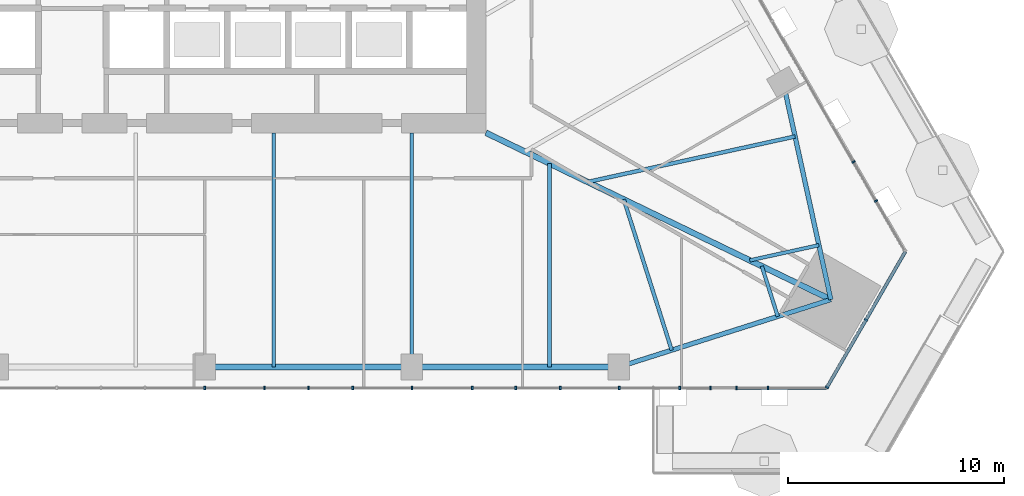
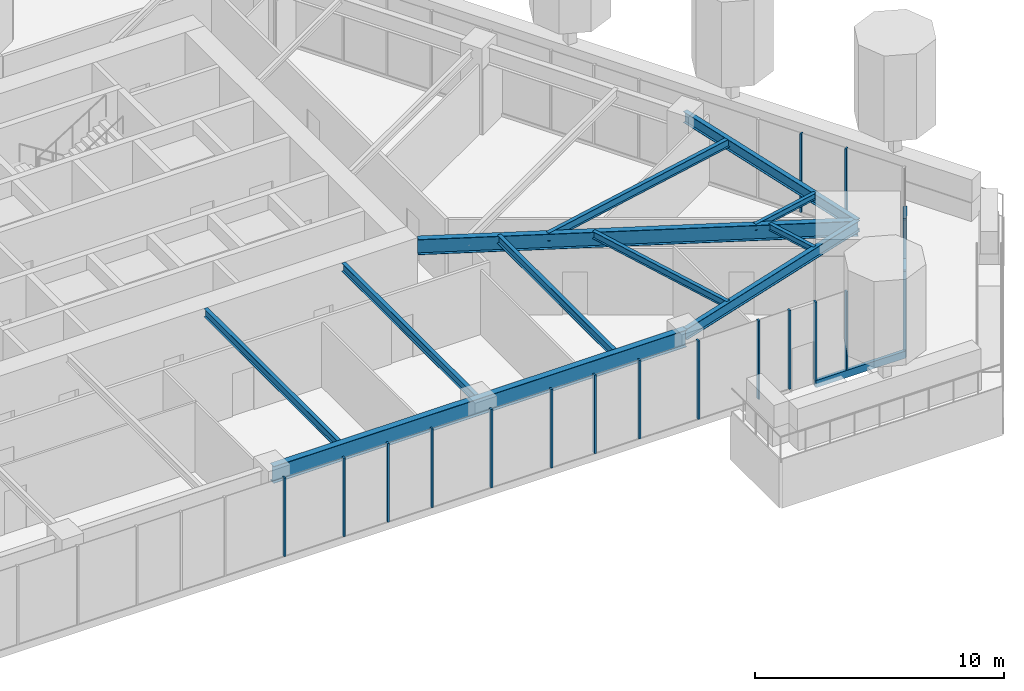
# One storey, part 5 of 26: 21 members, 11 beams, 3 elements without a shape of their own.
"""IFC4 building model written with IfcOpenShell, lengths in metres."""

import ifcopenshell
import ifcopenshell.guid

model = None  # the IFC model being written
_history = None  # IfcOwnerHistory: only IFC2X3 demands one
_inside = {}  # id of a spatial element -> (the spatial element, [elements in it])
_under = {}  # id of a project, library or spatial element -> (it, [spatial elements below it])
_declared = {}  # id of a project -> (the project, [libraries it declares])
_typed = {}  # id of a type object -> (the type object, [elements of that type])
_made_of = {}  # id of a material, layer set ... -> (it, [elements and type objects made of it])


def new_model(schema):
    """Start an empty IFC model of exactly this schema.

    Asked for "IFC4X3", IfcOpenShell would pick the latest addendum, in which some entities
    have other attributes; the version numbers below select the first issue.
    IFC2X3 requires an IfcOwnerHistory on every rooted entity: one is made here for all.
    """
    global model, _history
    if schema == "IFC4X3":
        model = ifcopenshell.file(schema_version=(4, 3, 0, 0))
    else:
        model = ifcopenshell.file(schema=schema)
    _inside.clear()
    _under.clear()
    _declared.clear()
    _typed.clear()
    _made_of.clear()
    _history = None
    if model.schema == "IFC2X3":
        org = make("IfcOrganization", Name="unknown")
        user = make(
            "IfcPersonAndOrganization",
            ThePerson=make("IfcPerson", FamilyName="unknown"),
            TheOrganization=org,
        )
        app = make(
            "IfcApplication",
            ApplicationDeveloper=org,
            Version="unknown",
            ApplicationFullName="unknown",
            ApplicationIdentifier="unknown",
        )
        _history = make(
            "IfcOwnerHistory",
            OwningUser=user,
            OwningApplication=app,
            ChangeAction="ADDED",
            CreationDate=0,
        )
    return model


def make(cls, **values):
    """One entity of the class cls with the attributes given. An attribute that is None is left unset."""
    return model.create_entity(
        cls, **{name: value for name, value in values.items() if value is not None}
    )


def rooted(cls, **values):
    """An entity with a GlobalId (a new one), such as an element, a storey or a relation."""
    return make(cls, GlobalId=ifcopenshell.guid.new(), OwnerHistory=_history, **values)


def si_unit(unit_type, name, prefix=None):
    """IfcSIUnit, for example si_unit("LENGTHUNIT", "METRE", prefix="MILLI")."""
    return make("IfcSIUnit", UnitType=unit_type, Prefix=prefix, Name=name)


def assignment(units):
    """IfcUnitAssignment: the units of a project."""
    return None if units is None else make("IfcUnitAssignment", Units=units)


def point(xyz):
    """IfcCartesianPoint."""
    return None if xyz is None else make("IfcCartesianPoint", Coordinates=xyz)


def direction(xyz):
    """IfcDirection."""
    return None if xyz is None else make("IfcDirection", DirectionRatios=xyz)


def frame(location, z_axis=None, x_axis=None):
    """IfcAxis2Placement3D, a coordinate frame: its origin and axes. An axis left out is left unset."""
    return make(
        "IfcAxis2Placement3D",
        Location=point(location),
        Axis=direction(z_axis),
        RefDirection=direction(x_axis),
    )


def frame_2d(location, x_axis=None):
    """IfcAxis2Placement2D, a coordinate frame in the plane: its origin and x axis."""
    return make(
        "IfcAxis2Placement2D", Location=point(location), RefDirection=direction(x_axis)
    )


def origin():
    """The frame at (0, 0, 0) with its axes left unset."""
    return frame((0.0, 0.0, 0.0))


def origin_2d():
    """The frame at (0, 0) in the plane with its x axis left unset."""
    return frame_2d((0.0, 0.0))


def place(relative_to, where):
    """IfcLocalPlacement: puts the frame where relative to a parent placement (None: the world)."""
    return make(
        "IfcLocalPlacement", PlacementRelTo=relative_to, RelativePlacement=where
    )


def context(
    kind, dimensions, precision=None, world=None, true_north=None, identifier=None
):
    """IfcGeometricRepresentationContext, for example the 3D "Model" context."""
    return make(
        "IfcGeometricRepresentationContext",
        ContextIdentifier=identifier,
        ContextType=kind,
        CoordinateSpaceDimension=dimensions,
        Precision=precision,
        WorldCoordinateSystem=world,
        TrueNorth=true_north,
    )


def subcontext(parent, identifier, kind, view, scale=None):
    """IfcGeometricRepresentationSubContext, for example "Body" below "Model"."""
    return make(
        "IfcGeometricRepresentationSubContext",
        ContextIdentifier=identifier,
        ContextType=kind,
        ParentContext=parent,
        TargetScale=scale,
        TargetView=view,
    )


def project(units=None, contexts=None):
    """IfcProject with its units and contexts."""
    return rooted(
        "IfcProject",
        Name="project",
        RepresentationContexts=contexts,
        UnitsInContext=assignment(units),
    )


def spatial(cls, under=None, at=None, **own):
    """A site, building, storey or space (cls), placed at a placement, below another one or the project."""
    s = rooted(cls, ObjectPlacement=at, **own)
    if under is not None:
        _under.setdefault(under.id(), (under, []))[1].append(s)
    return s


def profile(cls, at=None, kind="AREA", **sizes):
    """A parametric profile (cls). Its sizes go by their IFC names, for example OverallWidth=200.0."""
    return make(cls, ProfileType=kind, Position=at, **sizes)


def rectangle(**sizes):
    """IfcRectangleProfileDef."""
    return profile("IfcRectangleProfileDef", **sizes)


def i_section(**sizes):
    """IfcIShapeProfileDef."""
    return profile("IfcIShapeProfileDef", **sizes)


def extrude(swept, where, along, depth):
    """IfcExtrudedAreaSolid: the profile swept, set in the frame where, extruded along a direction by depth."""
    return make(
        "IfcExtrudedAreaSolid",
        SweptArea=swept,
        Position=where,
        ExtrudedDirection=direction(along),
        Depth=depth,
    )


def shape(context_of_items, identifier, shape_type, items):
    """IfcShapeRepresentation: the items that make up one representation, for example the "Body"."""
    return make(
        "IfcShapeRepresentation",
        ContextOfItems=context_of_items,
        RepresentationIdentifier=identifier,
        RepresentationType=shape_type,
        Items=items,
    )


def material(Name=None, Category=None):
    """IfcMaterial."""
    return make("IfcMaterial", Name=Name, Category=Category)


def layer(
    of_material, thickness, ventilated=None, Name=None, Category=None, Priority=None
):
    """IfcMaterialLayer: one layer of a wall or slab, of a material (None: an air gap)."""
    return make(
        "IfcMaterialLayer",
        Material=of_material,
        LayerThickness=thickness,
        IsVentilated=ventilated,
        Name=Name,
        Category=Category,
        Priority=Priority,
    )


def layer_set(layers, Name=None):
    """IfcMaterialLayerSet."""
    return make("IfcMaterialLayerSet", MaterialLayers=layers, LayerSetName=Name)


def material_profile(
    of_material, cross_section, Name=None, Category=None, Priority=None
):
    """IfcMaterialProfile: a cross section and its material."""
    return make(
        "IfcMaterialProfile",
        Name=Name,
        Material=of_material,
        Profile=cross_section,
        Priority=Priority,
        Category=Category,
    )


def profile_set(profiles, Name=None, composite=None):
    """IfcMaterialProfileSet."""
    return make(
        "IfcMaterialProfileSet",
        Name=Name,
        MaterialProfiles=profiles,
        CompositeProfile=composite,
    )


def made_of(thing, what):
    """Note that an element or type object is made of a material, layer set ...; save() writes the relation."""
    if what is not None:
        _made_of.setdefault(what.id(), (what, []))[1].append(thing)
    return thing


def type_object(cls, material=None, **own):
    """A type object (cls), such as IfcWallType, which elements share."""
    return made_of(rooted(cls, **own), material)


def element(
    cls,
    number,
    at=None,
    inside=None,
    cuts=None,
    type_object=None,
    material=None,
    context=None,
    identifier="Body",
    shape_type=None,
    held_by="IfcProductDefinitionShape",
    body=None,
    shapes=None,
    **own,
):
    """One element of the class cls, such as IfcWall. Its Tag is "e" and its number.

    at: its placement. inside: the storey or other place that contains it. cuts: it is an
    opening in that element (IfcRelVoidsElement). A single representation is given by context,
    identifier, shape_type and body (its items); several are given by shapes. held_by: the class
    of the entity that holds the representations. save() writes the other relations.
    """
    e = rooted(cls, Tag="e%d" % number, ObjectPlacement=at, **own)
    if body is not None:
        shapes = [shape(context, identifier, shape_type, body)]
    if shapes is not None:
        e.Representation = make(held_by, Representations=shapes)
    if inside is not None:
        _inside.setdefault(inside.id(), (inside, []))[1].append(e)
    if cuts is not None:
        rooted(
            "IfcRelVoidsElement", RelatingBuildingElement=cuts, RelatedOpeningElement=e
        )
    if type_object is not None:
        _typed.setdefault(type_object.id(), (type_object, []))[1].append(e)
    return made_of(e, material)


def aggregate(whole, parts):
    """IfcRelAggregates: a whole, such as a stair, and the parts it consists of."""
    return rooted("IfcRelAggregates", RelatingObject=whole, RelatedObjects=parts)


def save(model, path):
    """Write the relations noted so far, then the file.

    IfcRelAggregates (storeys below a building ...), IfcRelContainedInSpatialStructure (elements
    in a storey), IfcRelDefinesByType, IfcRelAssociatesMaterial and IfcRelDeclares: one each for
    every whole, place, type object, material and project.
    """
    for whole, parts in _under.values():
        aggregate(whole, parts)
    for where, things in _inside.values():
        rooted(
            "IfcRelContainedInSpatialStructure",
            RelatedElements=things,
            RelatingStructure=where,
        )
    for kind, things in _typed.values():
        rooted("IfcRelDefinesByType", RelatedObjects=things, RelatingType=kind)
    for what, things in _made_of.values():
        rooted("IfcRelAssociatesMaterial", RelatedObjects=things, RelatingMaterial=what)
    for by, libraries in _declared.values():
        rooted("IfcRelDeclares", RelatingContext=by, RelatedDefinitions=libraries)
    model.write(path)


model = new_model("IFC4")

# Units and contexts
model_context = context("Model", 3, precision=1e-05, world=origin(), true_north=direction((0.0, 1.0)))
body_context = subcontext(model_context, "Body", "Model", "MODEL_VIEW")
ifc_project = project(units=[si_unit("LENGTHUNIT", "METRE"), si_unit("AREAUNIT", "SQUARE_METRE"), si_unit("VOLUMEUNIT", "CUBIC_METRE"), si_unit("PLANEANGLEUNIT", "RADIAN"), si_unit("MASSUNIT", "GRAM", prefix="KILO")], contexts=[model_context])

# Site, building, storey
site_placement = place(None, origin())
site = spatial("IfcSite", under=ifc_project, at=site_placement, CompositionType="ELEMENT")
building_placement = place(site_placement, origin())
building = spatial("IfcBuilding", under=site, at=building_placement, Name="Firuza Gate Tower and Library", CompositionType="ELEMENT")
storey_placement = place(building_placement, frame((0.0, 0.0, 52.60009765625)))
storey = spatial("IfcBuildingStorey", under=building, at=storey_placement, Name="L11", CompositionType="ELEMENT", Elevation=52.60009765625)

# Curtain wall, members
ifc_material_1 = material(Name="Aluminium 6063-T6", Category="aluminium")
ifc_layer_1 = layer(ifc_material_1, 0.14990234375)
ifc_layer_set_1 = layer_set([ifc_layer_1], Name="Unitised curtain wall, offices")
curtain_wall_type_1 = type_object("IfcCurtainWallType", Name="Unitised curtain wall, offices", PredefinedType="NOTDEFINED", material=ifc_layer_set_1)
placement = place(storey_placement, origin())
curtain_wall_1 = element("IfcCurtainWall", 1, at=placement, inside=storey, type_object=curtain_wall_type_1, Name="CW1 L11 S face", PredefinedType="NOTDEFINED")
ifc_material_2 = material(Name="Aluminium 6063-T6", Category="aluminium")
ifc_material_profile_1 = material_profile(ifc_material_2, rectangle(XDim=0.14990234375, YDim=0.080078125, at=origin_2d()))
ifc_profile_set_1 = profile_set([ifc_material_profile_1], Name="Aluminium 6063-T6")
member_type_1 = type_object("IfcMemberType", Name="Curtain wall mullion 80x150", PredefinedType="MULLION", material=ifc_profile_set_1)
member_1_placement = place(storey_placement, frame((75.0, 54.197265625, 0.14990234375), z_axis=(0.0, 0.0, 1.0), x_axis=(0.0, 1.0, 0.0)))
member_1 = element("IfcMember", 2, at=member_1_placement, type_object=member_type_1, Name="Mullion", PredefinedType="MULLION", context=body_context, shape_type="SweptSolid", body=[
    extrude(rectangle(XDim=0.14990234375, YDim=0.080078125, at=origin_2d()), origin(), (0.0, 0.0, 1.0), 3.85009765625),
])
member_2_placement = place(storey_placement, frame((79.790771484375, 54.197265625, 0.14990234375), z_axis=(0.0, 0.0, 1.0), x_axis=(0.0, 1.0, 0.0)))
member_2 = element("IfcMember", 3, at=member_2_placement, type_object=member_type_1, Name="Mullion", PredefinedType="MULLION", context=body_context, shape_type="SweptSolid", body=[
    extrude(rectangle(XDim=0.14990234375, YDim=0.080078125, at=origin_2d()), origin(), (0.0, 0.0, 1.0), 3.85009765625),
])
member_3_placement = place(storey_placement, frame((84.58154296875, 54.197265625, 0.14990234375), z_axis=(0.0, 0.0, 1.0), x_axis=(0.0, 1.0, 0.0)))
member_3 = element("IfcMember", 4, at=member_3_placement, type_object=member_type_1, Name="Mullion", PredefinedType="MULLION", context=body_context, shape_type="SweptSolid", body=[
    extrude(rectangle(XDim=0.14990234375, YDim=0.080078125, at=origin_2d()), origin(), (0.0, 0.0, 1.0), 3.85009765625),
])
member_4_placement = place(storey_placement, frame((89.37255859375, 54.197265625, 0.14990234375), z_axis=(0.0, 0.0, 1.0), x_axis=(0.0, 1.0, 0.0)))
member_4 = element("IfcMember", 5, at=member_4_placement, type_object=member_type_1, Name="Mullion", PredefinedType="MULLION", context=body_context, shape_type="SweptSolid", body=[
    extrude(rectangle(XDim=0.14990234375, YDim=0.080078125, at=origin_2d()), origin(), (0.0, 0.0, 1.0), 3.85009765625),
])
member_5_placement = place(storey_placement, frame((94.163330078125, 54.197265625, 0.14990234375), z_axis=(0.0, 0.0, 1.0), x_axis=(0.0, 1.0, 0.0)))
member_5 = element("IfcMember", 6, at=member_5_placement, type_object=member_type_1, Name="Mullion", PredefinedType="MULLION", context=body_context, shape_type="SweptSolid", body=[
    extrude(rectangle(XDim=0.14990234375, YDim=0.080078125, at=origin_2d()), origin(), (0.0, 0.0, 1.0), 3.85009765625),
])
member_6_placement = place(storey_placement, frame((98.38330078125, 54.197265625, 0.14990234375), z_axis=(0.0, 0.0, 1.0), x_axis=(0.0, 1.0, 0.0)))
member_6 = element("IfcMember", 7, at=member_6_placement, type_object=member_type_1, Name="Mullion", PredefinedType="MULLION", context=body_context, shape_type="SweptSolid", body=[
    extrude(rectangle(XDim=0.14990234375, YDim=0.080078125, at=origin_2d()), origin(), (0.0, 0.0, 1.0), 3.85009765625),
])
member_7_placement = place(storey_placement, frame((99.583251953125, 54.197265625, 0.14990234375), z_axis=(0.0, 0.0, 1.0), x_axis=(0.0, 1.0, 0.0)))
member_7 = element("IfcMember", 8, at=member_7_placement, type_object=member_type_1, Name="Mullion", PredefinedType="MULLION", context=body_context, shape_type="SweptSolid", body=[
    extrude(rectangle(XDim=0.14990234375, YDim=0.080078125, at=origin_2d()), origin(), (0.0, 0.0, 1.0), 3.85009765625),
])
member_8_placement = place(storey_placement, frame((77.762451171875, 54.197265625, 0.14990234375), z_axis=(0.0, 0.0, 1.0), x_axis=(0.0, 1.0, 0.0)))
member_8 = element("IfcMember", 9, at=member_8_placement, type_object=member_type_1, Name="Mullion", PredefinedType="MULLION", context=body_context, shape_type="SweptSolid", body=[
    extrude(rectangle(XDim=0.14990234375, YDim=0.080078125, at=origin_2d()), origin(), (0.0, 0.0, 1.0), 3.85009765625),
])
member_9_placement = place(storey_placement, frame((81.837646484375, 54.197265625, 0.14990234375), z_axis=(0.0, 0.0, 1.0), x_axis=(0.0, 1.0, 0.0)))
member_9 = element("IfcMember", 10, at=member_9_placement, type_object=member_type_1, Name="Mullion", PredefinedType="MULLION", context=body_context, shape_type="SweptSolid", body=[
    extrude(rectangle(XDim=0.14990234375, YDim=0.080078125, at=origin_2d()), origin(), (0.0, 0.0, 1.0), 3.85009765625),
])
member_10_placement = place(storey_placement, frame((87.3623046875, 54.197265625, 0.14990234375), z_axis=(0.0, 0.0, 1.0), x_axis=(0.0, 1.0, 0.0)))
member_10 = element("IfcMember", 11, at=member_10_placement, type_object=member_type_1, Name="Mullion", PredefinedType="MULLION", context=body_context, shape_type="SweptSolid", body=[
    extrude(rectangle(XDim=0.14990234375, YDim=0.080078125, at=origin_2d()), origin(), (0.0, 0.0, 1.0), 3.85009765625),
])
member_11_placement = place(storey_placement, frame((91.4375, 54.197265625, 0.14990234375), z_axis=(0.0, 0.0, 1.0), x_axis=(0.0, 1.0, 0.0)))
member_11 = element("IfcMember", 12, at=member_11_placement, type_object=member_type_1, Name="Mullion", PredefinedType="MULLION", context=body_context, shape_type="SweptSolid", body=[
    extrude(rectangle(XDim=0.14990234375, YDim=0.080078125, at=origin_2d()), origin(), (0.0, 0.0, 1.0), 3.85009765625),
])
member_12_placement = place(storey_placement, frame((96.96240234375, 54.197265625, 0.14990234375), z_axis=(0.0, 0.0, 1.0), x_axis=(0.0, 1.0, 0.0)))
member_12 = element("IfcMember", 13, at=member_12_placement, type_object=member_type_1, Name="Mullion", PredefinedType="MULLION", context=body_context, shape_type="SweptSolid", body=[
    extrude(rectangle(XDim=0.14990234375, YDim=0.080078125, at=origin_2d()), origin(), (0.0, 0.0, 1.0), 3.85009765625),
])
member_13_placement = place(storey_placement, frame((101.03759765625, 54.197265625, 0.14990234375), z_axis=(0.0, 0.0, 1.0), x_axis=(0.0, 1.0, 0.0)))
member_13 = element("IfcMember", 14, at=member_13_placement, type_object=member_type_1, Name="Mullion", PredefinedType="MULLION", context=body_context, shape_type="SweptSolid", body=[
    extrude(rectangle(XDim=0.14990234375, YDim=0.080078125, at=origin_2d()), origin(), (0.0, 0.0, 1.0), 3.85009765625),
])

ifc_material_3 = material(Name="Aluminium 6063-T6", Category="aluminium")
ifc_layer_2 = layer(ifc_material_3, 0.14990234375)
ifc_layer_set_2 = layer_set([ifc_layer_2], Name="Corner curtain wall, chamfers")
curtain_wall_type_2 = type_object("IfcCurtainWallType", Name="Corner curtain wall, chamfers", PredefinedType="NOTDEFINED", material=ifc_layer_set_2)
curtain_wall_2 = element("IfcCurtainWall", 15, at=placement, inside=storey, type_object=curtain_wall_type_2, Name="CW4 L11 SE corner", PredefinedType="NOTDEFINED")
member_14_placement = place(storey_placement, frame((103.764892578125, 54.231689453125, 0.14990234375), z_axis=(0.0, 0.0, 1.0), x_axis=(-0.866025403784, 0.5, 0.0)))
member_14 = element("IfcMember", 16, at=member_14_placement, type_object=member_type_1, Name="Mullion", PredefinedType="MULLION", context=body_context, shape_type="SweptSolid", body=[
    extrude(rectangle(XDim=0.14990234375, YDim=0.080078125, at=origin_2d()), origin(), (0.0, 0.0, 1.0), 3.85009765625),
])
member_15_placement = place(storey_placement, frame((105.566650390625, 57.352294921875, 0.14990234375), z_axis=(0.0, 0.0, 1.0), x_axis=(-0.866025403784, 0.5, 0.0)))
member_15 = element("IfcMember", 17, at=member_15_placement, type_object=member_type_1, Name="Mullion", PredefinedType="MULLION", context=body_context, shape_type="SweptSolid", body=[
    extrude(rectangle(XDim=0.14990234375, YDim=0.080078125, at=origin_2d()), origin(), (0.0, 0.0, 1.0), 3.85009765625),
])

curtain_wall_3 = element("IfcCurtainWall", 18, at=placement, inside=storey, type_object=curtain_wall_type_1, Name="CW1 L11 E face", PredefinedType="NOTDEFINED")
member_16_placement = place(storey_placement, frame((104.992919921875, 64.656494140625, 0.14990234375), z_axis=(0.0, 0.0, 1.0), x_axis=(-0.866025403784, -0.5, 0.0)))
member_16 = element("IfcMember", 19, at=member_16_placement, type_object=member_type_1, Name="Mullion", PredefinedType="MULLION", context=body_context, shape_type="SweptSolid", body=[
    extrude(rectangle(XDim=0.14990234375, YDim=0.080078125, at=origin_2d()), origin(), (0.0, 0.0, 1.0), 3.85009765625),
])
member_17_placement = place(storey_placement, frame((106.03466796875, 62.852294921875, 0.14990234375), z_axis=(0.0, 0.0, 1.0), x_axis=(-0.866025403784, -0.5, 0.0)))
member_17 = element("IfcMember", 20, at=member_17_placement, type_object=member_type_1, Name="Mullion", PredefinedType="MULLION", context=body_context, shape_type="SweptSolid", body=[
    extrude(rectangle(XDim=0.14990234375, YDim=0.080078125, at=origin_2d()), origin(), (0.0, 0.0, 1.0), 3.85009765625),
])
aggregate(curtain_wall_3, [member_16, member_17])

# Member
ifc_material_4 = material(Name="Aluminium 6063-T6", Category="aluminium")
ifc_material_profile_2 = material_profile(ifc_material_4, rectangle(XDim=0.14990234375, YDim=0.35009765625, at=origin_2d()))
ifc_profile_set_2 = profile_set([ifc_material_profile_2], Name="Aluminium 6063-T6")
member_type_2 = type_object("IfcMemberType", Name="Curtain wall transom 350x150", PredefinedType="USERDEFINED", material=ifc_profile_set_2)
member_18_placement = place(storey_placement, frame((99.583251953125, 54.197265625, -0.025146484375), z_axis=(1.0, 0.0, 0.0), x_axis=(0.0, 1.0, 0.0)))
member_18 = element("IfcMember", 21, at=member_18_placement, type_object=member_type_2, Name="Transom", ObjectType="TRANSOM", PredefinedType="USERDEFINED", context=body_context, shape_type="SweptSolid", body=[
    extrude(rectangle(XDim=0.14990234375, YDim=0.35009765625, at=origin_2d()), origin(), (0.0, 0.0, 1.0), 4.16162109375),
])

aggregate(curtain_wall_1, [member_1, member_2, member_3, member_4, member_5, member_6, member_7, member_18, member_8, member_9, member_10, member_11, member_12, member_13])

member_19_placement = place(storey_placement, frame((103.744873046875, 54.197265625, -0.025146484375), z_axis=(0.500005719219, 0.866022101766, 0.0), x_axis=(-0.866022101766, 0.500005719219, 0.0)))
member_19 = element("IfcMember", 22, at=member_19_placement, type_object=member_type_2, Name="Transom", ObjectType="TRANSOM", PredefinedType="USERDEFINED", context=body_context, shape_type="SweptSolid", body=[
    extrude(rectangle(XDim=0.14990234375, YDim=0.35009765625, at=origin_2d()), origin(), (0.0, 0.0, 1.0), 7.28662109375),
])

ifc_material_5 = material(Name="Aluminium 6063-T6", Category="aluminium")
ifc_material_profile_3 = material_profile(ifc_material_5, rectangle(XDim=0.14990234375, YDim=0.080078125, at=origin_2d()))
ifc_profile_set_3 = profile_set([ifc_material_profile_3], Name="Aluminium 6063-T6")
member_type_3 = type_object("IfcMemberType", Name="Curtain wall transom 80x150", PredefinedType="USERDEFINED", material=ifc_profile_set_3)
member_20_placement = place(storey_placement, frame((103.764892578125, 54.231689453125, 2.074951171875), z_axis=(0.500015035186, 0.866016723041, 0.0), x_axis=(-0.866016723041, 0.500015035186, 0.0)))
member_20 = element("IfcMember", 23, at=member_20_placement, type_object=member_type_3, Name="Transom", ObjectType="TRANSOM", PredefinedType="USERDEFINED", context=body_context, shape_type="SweptSolid", body=[
    extrude(rectangle(XDim=0.14990234375, YDim=0.080078125, at=origin_2d()), origin(), (0.0, 0.0, 1.0), 3.5634765625),
])

member_21_placement = place(storey_placement, frame((105.586669921875, 57.386962890625, 2.074951171875), z_axis=(0.500015035186, 0.866016723041, 0.0), x_axis=(-0.866016723041, 0.500015035186, 0.0)))
member_21 = element("IfcMember", 24, at=member_21_placement, type_object=member_type_3, Name="Transom", ObjectType="TRANSOM", PredefinedType="USERDEFINED", context=body_context, shape_type="SweptSolid", body=[
    extrude(rectangle(XDim=0.14990234375, YDim=0.080078125, at=origin_2d()), origin(), (0.0, 0.0, 1.0), 3.5634765625),
])

aggregate(curtain_wall_2, [member_14, member_15, member_19, member_20, member_21])

# Beams
ifc_material_6 = material(Name="Steel S355", Category="steel")
ifc_material_profile_4 = material_profile(ifc_material_6, i_section(OverallWidth=0.1650390625, OverallDepth=0.31005859375, WebThickness=0.005859375, FlangeThickness=0.009765625, at=origin_2d()))
ifc_profile_set_4 = profile_set([ifc_material_profile_4], Name="Steel S355")
beam_type_1 = type_object("IfcBeamType", Name="W310x39 Floor beam", PredefinedType="JOIST", material=ifc_profile_set_4)
beam_1_placement = place(storey_placement, frame((101.49072265625, 57.510498046875, 3.844970703125), z_axis=(-0.302881069843, 0.953028361346, 0.0), x_axis=(-0.953028361346, -0.302881069843, 0.0)))
element("IfcBeam", 25, at=beam_1_placement, inside=storey, type_object=beam_type_1, Name="Floor beam L11 s31", PredefinedType="JOIST", context=body_context, shape_type="SweptSolid", body=[
    extrude(i_section(OverallWidth=0.1650390625, OverallDepth=0.31005859375, WebThickness=0.005859375, FlangeThickness=0.009765625, at=origin_2d()), origin(), (0.0, 0.0, 1.0), 2.436767578125),
])
beam_2_placement = place(storey_placement, frame((103.391845703125, 60.80322265625, 3.844970703125), z_axis=(-0.976795755161, -0.21417295044, 0.0), x_axis=(0.21417295044, -0.976795755161, 0.0)))
element("IfcBeam", 26, at=beam_2_placement, inside=storey, type_object=beam_type_1, Name="Floor beam L11 s40", PredefinedType="JOIST", context=body_context, shape_type="SweptSolid", body=[
    extrude(i_section(OverallWidth=0.1650390625, OverallDepth=0.31005859375, WebThickness=0.005859375, FlangeThickness=0.009765625, at=origin_2d()), origin(), (0.0, 0.0, 1.0), 3.272705078125),
])
ifc_material_7 = material(Name="Steel S355", Category="steel")
ifc_material_profile_5 = material_profile(ifc_material_7, i_section(OverallWidth=0.1708984375, OverallDepth=0.35498046875, WebThickness=0.007080078125, FlangeThickness=0.01171875, at=origin_2d()))
ifc_profile_set_5 = profile_set([ifc_material_profile_5], Name="Steel S355")
beam_type_2 = type_object("IfcBeamType", Name="W360x51 Floor beam", PredefinedType="JOIST", material=ifc_profile_set_5)
beam_3_placement = place(storey_placement, frame((96.586669921875, 55.95166015625, 3.822509765625), z_axis=(-0.302941735261, 0.9530090792, 0.0), x_axis=(-0.9530090792, -0.302941735261, 0.0)))
element("IfcBeam", 27, at=beam_3_placement, inside=storey, type_object=beam_type_2, Name="Floor beam L11 s30", PredefinedType="JOIST", context=body_context, shape_type="SweptSolid", body=[
    extrude(i_section(OverallWidth=0.1708984375, OverallDepth=0.35498046875, WebThickness=0.007080078125, FlangeThickness=0.01171875, at=origin_2d()), origin(), (0.0, 0.0, 1.0), 7.310302734375),
])
ifc_material_8 = material(Name="Steel S355", Category="steel")
ifc_material_profile_6 = material_profile(ifc_material_8, i_section(OverallWidth=0.177978515625, OverallDepth=0.406982421875, WebThickness=0.0078125, FlangeThickness=0.0126953125, at=origin_2d()))
ifc_profile_set_6 = profile_set([ifc_material_profile_6], Name="Steel S355")
beam_type_3 = type_object("IfcBeamType", Name="W410x60 Floor beam", PredefinedType="JOIST", material=ifc_profile_set_6)
for number, where, z_axis, x_axis, name in (
    (28, (78.18896484375, 55.172119140625, 3.79638671875), (0.0, 1.0, 0.0), (-1.0, 0.0, 0.0), "Floor beam L11 s23"),
    (29, (84.567138671875, 55.172119140625, 3.79638671875), (0.0, 1.0, 0.0), (-1.0, 0.0, 0.0), "Floor beam L11 s24"),
):
    element("IfcBeam", number, at=place(storey_placement, frame(where, z_axis=z_axis, x_axis=x_axis)), inside=storey, type_object=beam_type_3, Name=name, PredefinedType="JOIST", context=body_context, shape_type="SweptSolid", body=[
        extrude(i_section(OverallWidth=0.177978515625, OverallDepth=0.406982421875, WebThickness=0.0078125, FlangeThickness=0.0126953125, at=origin_2d()), origin(), (0.0, 0.0, 1.0), 10.827880859375),
    ])
beam_4_placement = place(storey_placement, frame((90.9453125, 55.172119140625, 3.79638671875), z_axis=(0.0, 1.0, 0.0), x_axis=(-1.0, 0.0, 0.0)))
element("IfcBeam", 30, at=beam_4_placement, inside=storey, type_object=beam_type_3, Name="Floor beam L11 s25", PredefinedType="JOIST", context=body_context, shape_type="SweptSolid", body=[
    extrude(i_section(OverallWidth=0.177978515625, OverallDepth=0.406982421875, WebThickness=0.0078125, FlangeThickness=0.0126953125, at=origin_2d()), origin(), (0.0, 0.0, 1.0), 9.403564453125),
])
beam_5_placement = place(storey_placement, frame((102.289794921875, 65.82958984375, 3.79638671875), z_axis=(-0.976798676094, -0.214159628272, 0.0), x_axis=(0.214159628272, -0.976798676094, 0.0)))
element("IfcBeam", 31, at=beam_5_placement, inside=storey, type_object=beam_type_3, Name="Floor beam L11 s41", PredefinedType="JOIST", context=body_context, shape_type="SweptSolid", body=[
    extrude(i_section(OverallWidth=0.177978515625, OverallDepth=0.406982421875, WebThickness=0.0078125, FlangeThickness=0.0126953125, at=origin_2d()), origin(), (0.0, 0.0, 1.0), 9.817626953125),
])
ifc_material_9 = material(Name="Steel S355", Category="steel")
ifc_material_profile_7 = material_profile(ifc_material_9, i_section(OverallWidth=0.212890625, OverallDepth=0.5390625, WebThickness=0.01171875, FlangeThickness=0.018798828125, at=origin_2d()))
ifc_profile_set_7 = profile_set([ifc_material_profile_7], Name="Steel S355")
beam_type_4 = type_object("IfcBeamType", Name="W530x109 Edge beam", PredefinedType="SPANDREL", material=ifc_profile_set_7)
for number, where, z_axis, x_axis, name in (
    (32, (94.134521484375, 55.172119140625, 3.73046875), (0.953014528188, 0.30292459303, 0.0), (-0.30292459303, 0.953014528188, 0.0), "Edge beam L11 e30"),
    (33, (103.94287109375, 58.289794921875, 3.73046875), (-0.214156691919, 0.976799319874, 0.0), (-0.976799319874, -0.214156691919, 0.0), "Edge beam L11 e40"),
):
    element("IfcBeam", number, at=place(storey_placement, frame(where, z_axis=z_axis, x_axis=x_axis)), inside=storey, type_object=beam_type_4, Name=name, PredefinedType="SPANDREL", context=body_context, shape_type="SweptSolid", body=[
        extrude(i_section(OverallWidth=0.212890625, OverallDepth=0.5390625, WebThickness=0.01171875, FlangeThickness=0.018798828125, at=origin_2d()), origin(), (0.0, 0.0, 1.0), 10.2919921875),
    ])
ifc_material_10 = material(Name="Steel S355", Category="steel")
ifc_material_profile_8 = material_profile(ifc_material_10, i_section(OverallWidth=0.264892578125, OverallDepth=0.7529296875, WebThickness=0.01318359375, FlangeThickness=0.01708984375, at=origin_2d()))
ifc_profile_set_8 = profile_set([ifc_material_profile_8], Name="Steel S355")
beam_type_5 = type_object("IfcBeamType", Name="W760x147 Girder", PredefinedType="BEAM", material=ifc_profile_set_8)
beam_6_placement = place(storey_placement, frame((103.94287109375, 58.289794921875, 3.623291015625), z_axis=(-0.900249724041, 0.435373901794, 0.0), x_axis=(-0.435373901794, -0.900249724041, 0.0)))
element("IfcBeam", 34, at=beam_6_placement, inside=storey, type_object=beam_type_5, Name="Girder L11 gSE", PredefinedType="BEAM", context=body_context, shape_type="SweptSolid", body=[
    extrude(i_section(OverallWidth=0.264892578125, OverallDepth=0.7529296875, WebThickness=0.01318359375, FlangeThickness=0.01708984375, at=origin_2d()), origin(), (0.0, 0.0, 1.0), 17.70947265625),
])
ifc_material_11 = material(Name="Steel S355", Category="steel")
ifc_material_profile_9 = material_profile(ifc_material_11, i_section(OverallWidth=0.2919921875, OverallDepth=0.8349609375, WebThickness=0.013916015625, FlangeThickness=0.018798828125, at=origin_2d()))
ifc_profile_set_9 = profile_set([ifc_material_profile_9], Name="Steel S355")
beam_type_6 = type_object("IfcBeamType", Name="W840x176 Edge beam", PredefinedType="SPANDREL", material=ifc_profile_set_9)
beam_7_placement = place(storey_placement, frame((75.0, 55.172119140625, 3.58251953125), z_axis=(1.0, 0.0, 0.0), x_axis=(0.0, 1.0, 0.0)))
element("IfcBeam", 35, at=beam_7_placement, inside=storey, type_object=beam_type_6, Name="Edge beam L11 e22", PredefinedType="SPANDREL", context=body_context, shape_type="SweptSolid", body=[
    extrude(i_section(OverallWidth=0.2919921875, OverallDepth=0.8349609375, WebThickness=0.013916015625, FlangeThickness=0.018798828125, at=origin_2d()), origin(), (0.0, 0.0, 1.0), 19.134521484375),
])

save(model, "model.ifc")
